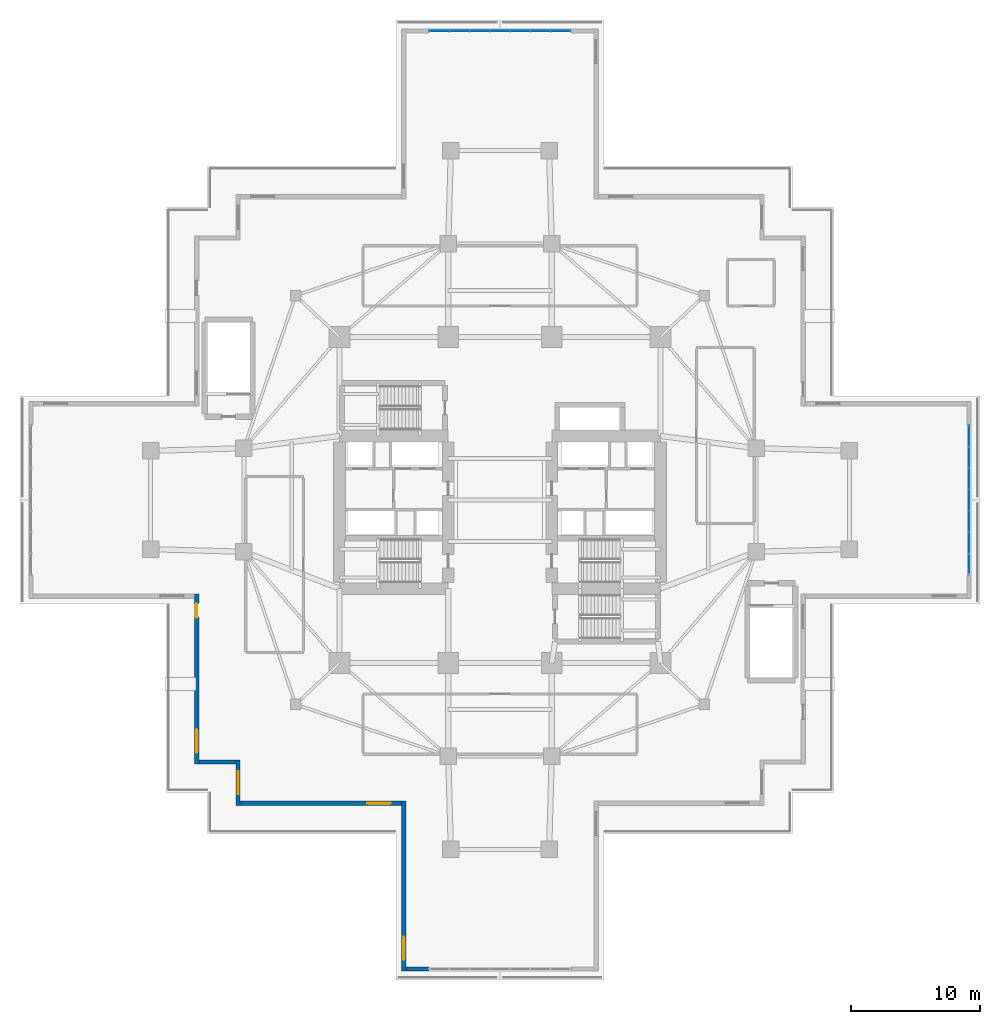
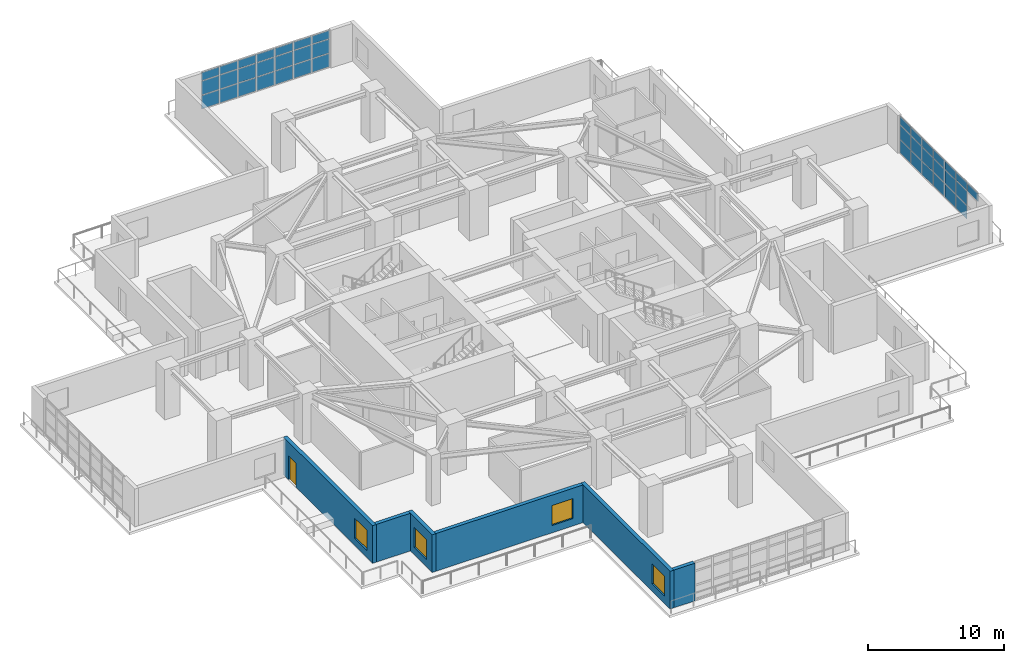
# One storey, part 14 of 24: 40 plates, 6 walls, 4 windows, 1 door, 5 openings, 2 elements without a shape of their own.
"""IFC4 building model written with IfcOpenShell, lengths in metres."""

from ifc_helpers import new_model, si_unit, direction, frame, frame_2d, origin, origin_2d, place, context, subcontext, project, spatial, rectangle, extrude, material, layer, layer_set, type_object, element, fill, aggregate, save


model = new_model("IFC4")

# Units and contexts
model_context = context("Model", 3, precision=1e-05, world=origin(), true_north=direction((0.0, 1.0)))
body_context = subcontext(model_context, "Body", "Model", "MODEL_VIEW")
ifc_project = project(units=[si_unit("LENGTHUNIT", "METRE"), si_unit("AREAUNIT", "SQUARE_METRE"), si_unit("VOLUMEUNIT", "CUBIC_METRE"), si_unit("PLANEANGLEUNIT", "RADIAN"), si_unit("MASSUNIT", "GRAM", prefix="KILO")], contexts=[model_context])

# Site, building, storey
site_placement = place(None, origin())
site = spatial("IfcSite", under=ifc_project, at=site_placement, CompositionType="ELEMENT")
building_placement = place(site_placement, origin())
building = spatial("IfcBuilding", under=site, at=building_placement, Name="Qingluan Cross Belvedere", CompositionType="ELEMENT")
storey_placement = place(building_placement, frame((0.0, 0.0, 19.199951171875)))
storey = spatial("IfcBuildingStorey", under=building, at=storey_placement, Name="L05", CompositionType="ELEMENT", Elevation=19.199951171875)

# Curtain wall, plates
ifc_material_1 = material(Name="Thermally broken aluminium and Low-E glass", Category="aluminium")
ifc_layer_1 = layer(ifc_material_1, 0.179931640625, Name="UnitisedCW_CascadeGarden")
ifc_layer_set_1 = layer_set([ifc_layer_1], Name="Thermally broken aluminium and Low-E glass")
curtain_wall_type = type_object("IfcCurtainWallType", Name="UnitisedCW_CascadeGarden", PredefinedType="USERDEFINED", material=ifc_layer_set_1)
curtain_wall_1_placement = place(storey_placement, origin())
curtain_wall_1 = element("IfcCurtainWall", 1, at=curtain_wall_1_placement, inside=storey, type_object=curtain_wall_type, Name="UnitisedCW_CascadeGarden run env:cw:L05:N", ObjectType="UNITISED CURTAIN WALL", PredefinedType="USERDEFINED")
ifc_material_2 = material(Name="Ceramic-fritted insulated spandrel glass", Category="glass")
ifc_layer_2 = layer(ifc_material_2, 0.0439453125, Name="CWSpandrelPanel_44")
ifc_layer_set_2 = layer_set([ifc_layer_2], Name="Ceramic-fritted insulated spandrel glass")
plate_type = type_object("IfcPlateType", Name="CWSpandrelPanel_44", PredefinedType="CURTAIN_PANEL", material=ifc_layer_set_2)
plate_1_placement = place(storey_placement, frame((-4.68212890625, 36.239990234375, 0.06005859375), z_axis=(0.0, 0.0, 1.0), x_axis=(1.0, 0.0, 0.0)))
plate_1 = element("IfcPlate", 2, at=plate_1_placement, type_object=plate_type, Name="CW-P3 panel 1.1", PredefinedType="CURTAIN_PANEL", context=body_context, shape_type="SweptSolid", body=[
    extrude(rectangle(XDim=1.475830078125, YDim=0.028076171875, at=origin_2d()), origin(), (0.0, 0.0, 1.0), 1.194091796875),
])
plate_2_placement = place(storey_placement, frame((-4.68212890625, 36.239990234375, 1.31396484375), z_axis=(0.0, 0.0, 1.0), x_axis=(1.0, 0.0, 0.0)))
plate_2 = element("IfcPlate", 3, at=plate_2_placement, type_object=plate_type, Name="CW-P3 panel 1.2", PredefinedType="CURTAIN_PANEL", context=body_context, shape_type="SweptSolid", body=[
    extrude(rectangle(XDim=1.475830078125, YDim=0.028076171875, at=origin_2d()), origin(), (0.0, 0.0, 1.0), 1.22509765625),
])
plate_3_placement = place(storey_placement, frame((-4.68212890625, 36.239990234375, 2.59912109375), z_axis=(0.0, 0.0, 1.0), x_axis=(1.0, 0.0, 0.0)))
plate_3 = element("IfcPlate", 4, at=plate_3_placement, type_object=plate_type, Name="CW-P3 panel 1.3", PredefinedType="CURTAIN_PANEL", context=body_context, shape_type="SweptSolid", body=[
    extrude(rectangle(XDim=1.475830078125, YDim=0.028076171875, at=origin_2d()), origin(), (0.0, 0.0, 1.0), 0.720947265625),
])
plate_4_placement = place(storey_placement, frame((-3.13134765625, 36.239990234375, 0.06005859375), z_axis=(0.0, 0.0, 1.0), x_axis=(1.0, 0.0, 0.0)))
plate_4 = element("IfcPlate", 5, at=plate_4_placement, type_object=plate_type, Name="CW-P3 panel 2.1", PredefinedType="CURTAIN_PANEL", context=body_context, shape_type="SweptSolid", body=[
    extrude(rectangle(XDim=1.505615234375, YDim=0.028076171875, at=origin_2d()), origin(), (0.0, 0.0, 1.0), 1.194091796875),
])
plate_5_placement = place(storey_placement, frame((-3.13134765625, 36.239990234375, 1.31396484375), z_axis=(0.0, 0.0, 1.0), x_axis=(1.0, 0.0, 0.0)))
plate_5 = element("IfcPlate", 6, at=plate_5_placement, type_object=plate_type, Name="CW-P3 panel 2.2", PredefinedType="CURTAIN_PANEL", context=body_context, shape_type="SweptSolid", body=[
    extrude(rectangle(XDim=1.505615234375, YDim=0.028076171875, at=origin_2d()), origin(), (0.0, 0.0, 1.0), 1.22509765625),
])
plate_6_placement = place(storey_placement, frame((-3.13134765625, 36.239990234375, 2.59912109375), z_axis=(0.0, 0.0, 1.0), x_axis=(1.0, 0.0, 0.0)))
plate_6 = element("IfcPlate", 7, at=plate_6_placement, type_object=plate_type, Name="CW-P3 panel 2.3", PredefinedType="CURTAIN_PANEL", context=body_context, shape_type="SweptSolid", body=[
    extrude(rectangle(XDim=1.505615234375, YDim=0.028076171875, at=origin_2d()), origin(), (0.0, 0.0, 1.0), 0.720947265625),
])
plate_7_placement = place(storey_placement, frame((-1.565673828125, 36.239990234375, 0.06005859375), z_axis=(0.0, 0.0, 1.0), x_axis=(1.0, 0.0, 0.0)))
plate_7 = element("IfcPlate", 8, at=plate_7_placement, type_object=plate_type, Name="CW-P3 panel 3.1", PredefinedType="CURTAIN_PANEL", context=body_context, shape_type="SweptSolid", body=[
    extrude(rectangle(XDim=1.505615234375, YDim=0.028076171875, at=origin_2d()), origin(), (0.0, 0.0, 1.0), 1.194091796875),
])
plate_8_placement = place(storey_placement, frame((-1.565673828125, 36.239990234375, 1.31396484375), z_axis=(0.0, 0.0, 1.0), x_axis=(1.0, 0.0, 0.0)))
plate_8 = element("IfcPlate", 9, at=plate_8_placement, type_object=plate_type, Name="CW-P3 panel 3.2", PredefinedType="CURTAIN_PANEL", context=body_context, shape_type="SweptSolid", body=[
    extrude(rectangle(XDim=1.505615234375, YDim=0.028076171875, at=origin_2d()), origin(), (0.0, 0.0, 1.0), 1.22509765625),
])
plate_9_placement = place(storey_placement, frame((-1.565673828125, 36.239990234375, 2.59912109375), z_axis=(0.0, 0.0, 1.0), x_axis=(1.0, 0.0, 0.0)))
plate_9 = element("IfcPlate", 10, at=plate_9_placement, type_object=plate_type, Name="CW-P3 panel 3.3", PredefinedType="CURTAIN_PANEL", context=body_context, shape_type="SweptSolid", body=[
    extrude(rectangle(XDim=1.505615234375, YDim=0.028076171875, at=origin_2d()), origin(), (0.0, 0.0, 1.0), 0.720947265625),
])
plate_10_placement = place(storey_placement, frame((0.0, 36.239990234375, 0.06005859375), z_axis=(0.0, 0.0, 1.0), x_axis=(1.0, 0.0, 0.0)))
plate_10 = element("IfcPlate", 11, at=plate_10_placement, type_object=plate_type, Name="CW-P3 panel 4.1", PredefinedType="CURTAIN_PANEL", context=body_context, shape_type="SweptSolid", body=[
    extrude(rectangle(XDim=1.505615234375, YDim=0.028076171875, at=origin_2d()), origin(), (0.0, 0.0, 1.0), 1.194091796875),
])
plate_11_placement = place(storey_placement, frame((0.0, 36.239990234375, 1.31396484375), z_axis=(0.0, 0.0, 1.0), x_axis=(1.0, 0.0, 0.0)))
plate_11 = element("IfcPlate", 12, at=plate_11_placement, type_object=plate_type, Name="CW-P3 panel 4.2", PredefinedType="CURTAIN_PANEL", context=body_context, shape_type="SweptSolid", body=[
    extrude(rectangle(XDim=1.505615234375, YDim=0.028076171875, at=origin_2d()), origin(), (0.0, 0.0, 1.0), 1.22509765625),
])
plate_12_placement = place(storey_placement, frame((0.0, 36.239990234375, 2.59912109375), z_axis=(0.0, 0.0, 1.0), x_axis=(1.0, 0.0, 0.0)))
plate_12 = element("IfcPlate", 13, at=plate_12_placement, type_object=plate_type, Name="CW-P3 panel 4.3", PredefinedType="CURTAIN_PANEL", context=body_context, shape_type="SweptSolid", body=[
    extrude(rectangle(XDim=1.505615234375, YDim=0.028076171875, at=origin_2d()), origin(), (0.0, 0.0, 1.0), 0.720947265625),
])
plate_13_placement = place(storey_placement, frame((1.565673828125, 36.239990234375, 0.06005859375), z_axis=(0.0, 0.0, 1.0), x_axis=(1.0, 0.0, 0.0)))
plate_13 = element("IfcPlate", 14, at=plate_13_placement, type_object=plate_type, Name="CW-P3 panel 5.1", PredefinedType="CURTAIN_PANEL", context=body_context, shape_type="SweptSolid", body=[
    extrude(rectangle(XDim=1.505615234375, YDim=0.028076171875, at=origin_2d()), origin(), (0.0, 0.0, 1.0), 1.194091796875),
])
plate_14_placement = place(storey_placement, frame((1.565673828125, 36.239990234375, 1.31396484375), z_axis=(0.0, 0.0, 1.0), x_axis=(1.0, 0.0, 0.0)))
plate_14 = element("IfcPlate", 15, at=plate_14_placement, type_object=plate_type, Name="CW-P3 panel 5.2", PredefinedType="CURTAIN_PANEL", context=body_context, shape_type="SweptSolid", body=[
    extrude(rectangle(XDim=1.505615234375, YDim=0.028076171875, at=origin_2d()), origin(), (0.0, 0.0, 1.0), 1.22509765625),
])
plate_15_placement = place(storey_placement, frame((1.565673828125, 36.239990234375, 2.59912109375), z_axis=(0.0, 0.0, 1.0), x_axis=(1.0, 0.0, 0.0)))
plate_15 = element("IfcPlate", 16, at=plate_15_placement, type_object=plate_type, Name="CW-P3 panel 5.3", PredefinedType="CURTAIN_PANEL", context=body_context, shape_type="SweptSolid", body=[
    extrude(rectangle(XDim=1.505615234375, YDim=0.028076171875, at=origin_2d()), origin(), (0.0, 0.0, 1.0), 0.720947265625),
])
plate_16_placement = place(storey_placement, frame((3.13134765625, 36.239990234375, 0.06005859375), z_axis=(0.0, 0.0, 1.0), x_axis=(1.0, 0.0, 0.0)))
plate_16 = element("IfcPlate", 17, at=plate_16_placement, type_object=plate_type, Name="CW-P3 panel 6.1", PredefinedType="CURTAIN_PANEL", context=body_context, shape_type="SweptSolid", body=[
    extrude(rectangle(XDim=1.505615234375, YDim=0.028076171875, at=origin_2d()), origin(), (0.0, 0.0, 1.0), 1.194091796875),
])
plate_17_placement = place(storey_placement, frame((3.13134765625, 36.239990234375, 1.31396484375), z_axis=(0.0, 0.0, 1.0), x_axis=(1.0, 0.0, 0.0)))
plate_17 = element("IfcPlate", 18, at=plate_17_placement, type_object=plate_type, Name="CW-P3 panel 6.2", PredefinedType="CURTAIN_PANEL", context=body_context, shape_type="SweptSolid", body=[
    extrude(rectangle(XDim=1.505615234375, YDim=0.028076171875, at=origin_2d()), origin(), (0.0, 0.0, 1.0), 1.22509765625),
])
plate_18_placement = place(storey_placement, frame((3.13134765625, 36.239990234375, 2.59912109375), z_axis=(0.0, 0.0, 1.0), x_axis=(1.0, 0.0, 0.0)))
plate_18 = element("IfcPlate", 19, at=plate_18_placement, type_object=plate_type, Name="CW-P3 panel 6.3", PredefinedType="CURTAIN_PANEL", context=body_context, shape_type="SweptSolid", body=[
    extrude(rectangle(XDim=1.505615234375, YDim=0.028076171875, at=origin_2d()), origin(), (0.0, 0.0, 1.0), 0.720947265625),
])
plate_19_placement = place(storey_placement, frame((4.68212890625, 36.239990234375, 0.06005859375), z_axis=(0.0, 0.0, 1.0), x_axis=(1.0, 0.0, 0.0)))
plate_19 = element("IfcPlate", 20, at=plate_19_placement, type_object=plate_type, Name="CW-P3 panel 7.1", PredefinedType="CURTAIN_PANEL", context=body_context, shape_type="SweptSolid", body=[
    extrude(rectangle(XDim=1.475830078125, YDim=0.028076171875, at=origin_2d()), origin(), (0.0, 0.0, 1.0), 1.194091796875),
])
plate_20_placement = place(storey_placement, frame((4.68212890625, 36.239990234375, 1.31396484375), z_axis=(0.0, 0.0, 1.0), x_axis=(1.0, 0.0, 0.0)))
plate_20 = element("IfcPlate", 21, at=plate_20_placement, type_object=plate_type, Name="CW-P3 panel 7.2", PredefinedType="CURTAIN_PANEL", context=body_context, shape_type="SweptSolid", body=[
    extrude(rectangle(XDim=1.475830078125, YDim=0.028076171875, at=origin_2d()), origin(), (0.0, 0.0, 1.0), 1.22509765625),
])
plate_21_placement = place(storey_placement, frame((4.68212890625, 36.239990234375, 2.59912109375), z_axis=(0.0, 0.0, 1.0), x_axis=(1.0, 0.0, 0.0)))
plate_21 = element("IfcPlate", 22, at=plate_21_placement, type_object=plate_type, Name="CW-P3 panel 7.3", PredefinedType="CURTAIN_PANEL", context=body_context, shape_type="SweptSolid", body=[
    extrude(rectangle(XDim=1.475830078125, YDim=0.028076171875, at=origin_2d()), origin(), (0.0, 0.0, 1.0), 0.720947265625),
])
aggregate(curtain_wall_1, [plate_1, plate_2, plate_3, plate_4, plate_5, plate_6, plate_7, plate_8, plate_9, plate_10, plate_11, plate_12, plate_13, plate_14, plate_15, plate_16, plate_17, plate_18, plate_19, plate_20, plate_21])

curtain_wall_2_placement = place(storey_placement, origin())
curtain_wall_2 = element("IfcCurtainWall", 23, at=curtain_wall_2_placement, inside=storey, type_object=curtain_wall_type, Name="UnitisedCW_CascadeGarden run env:cw:L05:E", ObjectType="UNITISED CURTAIN WALL", PredefinedType="USERDEFINED")
plate_22_placement = place(storey_placement, frame((36.239990234375, 4.95654296875, 0.06005859375), z_axis=(0.0, 0.0, 1.0), x_axis=(0.0, -1.0, 0.0)))
plate_22 = element("IfcPlate", 24, at=plate_22_placement, type_object=plate_type, Name="CW-P3 panel 1.1", PredefinedType="CURTAIN_PANEL", context=body_context, shape_type="SweptSolid", body=[
    extrude(rectangle(XDim=1.567138671875, YDim=0.028076171875, at=origin_2d()), origin(), (0.0, 0.0, 1.0), 1.194091796875),
])
plate_23_placement = place(storey_placement, frame((36.239990234375, 4.95654296875, 1.31396484375), z_axis=(0.0, 0.0, 1.0), x_axis=(0.0, -1.0, 0.0)))
plate_23 = element("IfcPlate", 25, at=plate_23_placement, type_object=plate_type, Name="CW-P3 panel 1.2", PredefinedType="CURTAIN_PANEL", context=body_context, shape_type="SweptSolid", body=[
    extrude(rectangle(XDim=1.567138671875, YDim=0.028076171875, at=origin_2d()), origin(), (0.0, 0.0, 1.0), 1.22509765625),
])
plate_24_placement = place(storey_placement, frame((36.239990234375, 4.95654296875, 2.59912109375), z_axis=(0.0, 0.0, 1.0), x_axis=(0.0, -1.0, 0.0)))
plate_24 = element("IfcPlate", 26, at=plate_24_placement, type_object=plate_type, Name="CW-P3 panel 1.3", PredefinedType="CURTAIN_PANEL", context=body_context, shape_type="SweptSolid", body=[
    extrude(rectangle(XDim=1.567138671875, YDim=0.028076171875, at=origin_2d()), origin(), (0.0, 0.0, 1.0), 0.720947265625),
])
plate_25_placement = place(storey_placement, frame((36.239990234375, 3.314208984375, 0.06005859375), z_axis=(0.0, 0.0, 1.0), x_axis=(0.0, -1.0, 0.0)))
plate_25 = element("IfcPlate", 27, at=plate_25_placement, type_object=plate_type, Name="CW-P3 panel 2.1", PredefinedType="CURTAIN_PANEL", context=body_context, shape_type="SweptSolid", body=[
    extrude(rectangle(XDim=1.59716796875, YDim=0.028076171875, at=origin_2d()), origin(), (0.0, 0.0, 1.0), 1.194091796875),
])
plate_26_placement = place(storey_placement, frame((36.239990234375, 3.314208984375, 1.31396484375), z_axis=(0.0, 0.0, 1.0), x_axis=(0.0, -1.0, 0.0)))
plate_26 = element("IfcPlate", 28, at=plate_26_placement, type_object=plate_type, Name="CW-P3 panel 2.2", PredefinedType="CURTAIN_PANEL", context=body_context, shape_type="SweptSolid", body=[
    extrude(rectangle(XDim=1.59716796875, YDim=0.028076171875, at=origin_2d()), origin(), (0.0, 0.0, 1.0), 1.22509765625),
])
plate_27_placement = place(storey_placement, frame((36.239990234375, 3.314208984375, 2.59912109375), z_axis=(0.0, 0.0, 1.0), x_axis=(0.0, -1.0, 0.0)))
plate_27 = element("IfcPlate", 29, at=plate_27_placement, type_object=plate_type, Name="CW-P3 panel 2.3", PredefinedType="CURTAIN_PANEL", context=body_context, shape_type="SweptSolid", body=[
    extrude(rectangle(XDim=1.59716796875, YDim=0.028076171875, at=origin_2d()), origin(), (0.0, 0.0, 1.0), 0.720947265625),
])
plate_28_placement = place(storey_placement, frame((36.239990234375, 1.6572265625, 0.06005859375), z_axis=(0.0, 0.0, 1.0), x_axis=(0.0, -1.0, 0.0)))
plate_28 = element("IfcPlate", 30, at=plate_28_placement, type_object=plate_type, Name="CW-P3 panel 3.1", PredefinedType="CURTAIN_PANEL", context=body_context, shape_type="SweptSolid", body=[
    extrude(rectangle(XDim=1.59716796875, YDim=0.028076171875, at=origin_2d()), origin(), (0.0, 0.0, 1.0), 1.194091796875),
])
plate_29_placement = place(storey_placement, frame((36.239990234375, 1.6572265625, 1.31396484375), z_axis=(0.0, 0.0, 1.0), x_axis=(0.0, -1.0, 0.0)))
plate_29 = element("IfcPlate", 31, at=plate_29_placement, type_object=plate_type, Name="CW-P3 panel 3.2", PredefinedType="CURTAIN_PANEL", context=body_context, shape_type="SweptSolid", body=[
    extrude(rectangle(XDim=1.59716796875, YDim=0.028076171875, at=origin_2d()), origin(), (0.0, 0.0, 1.0), 1.22509765625),
])
plate_30_placement = place(storey_placement, frame((36.239990234375, 1.6572265625, 2.59912109375), z_axis=(0.0, 0.0, 1.0), x_axis=(0.0, -1.0, 0.0)))
plate_30 = element("IfcPlate", 32, at=plate_30_placement, type_object=plate_type, Name="CW-P3 panel 3.3", PredefinedType="CURTAIN_PANEL", context=body_context, shape_type="SweptSolid", body=[
    extrude(rectangle(XDim=1.59716796875, YDim=0.028076171875, at=origin_2d()), origin(), (0.0, 0.0, 1.0), 0.720947265625),
])
plate_31_placement = place(storey_placement, frame((36.239990234375, 0.0, 0.06005859375), z_axis=(0.0, 0.0, 1.0), x_axis=(0.0, -1.0, 0.0)))
plate_31 = element("IfcPlate", 33, at=plate_31_placement, type_object=plate_type, Name="CW-P3 panel 4.1", PredefinedType="CURTAIN_PANEL", context=body_context, shape_type="SweptSolid", body=[
    extrude(rectangle(XDim=1.59716796875, YDim=0.028076171875, at=origin_2d()), origin(), (0.0, 0.0, 1.0), 1.194091796875),
])
plate_32_placement = place(storey_placement, frame((36.239990234375, 0.0, 1.31396484375), z_axis=(0.0, 0.0, 1.0), x_axis=(0.0, -1.0, 0.0)))
plate_32 = element("IfcPlate", 34, at=plate_32_placement, type_object=plate_type, Name="CW-P3 panel 4.2", PredefinedType="CURTAIN_PANEL", context=body_context, shape_type="SweptSolid", body=[
    extrude(rectangle(XDim=1.59716796875, YDim=0.028076171875, at=origin_2d()), origin(), (0.0, 0.0, 1.0), 1.22509765625),
])
plate_33_placement = place(storey_placement, frame((36.239990234375, 0.0, 2.59912109375), z_axis=(0.0, 0.0, 1.0), x_axis=(0.0, -1.0, 0.0)))
plate_33 = element("IfcPlate", 35, at=plate_33_placement, type_object=plate_type, Name="CW-P3 panel 4.3", PredefinedType="CURTAIN_PANEL", context=body_context, shape_type="SweptSolid", body=[
    extrude(rectangle(XDim=1.59716796875, YDim=0.028076171875, at=origin_2d()), origin(), (0.0, 0.0, 1.0), 0.720947265625),
])
plate_34_placement = place(storey_placement, frame((36.239990234375, -1.6572265625, 0.06005859375), z_axis=(0.0, 0.0, 1.0), x_axis=(0.0, -1.0, 0.0)))
plate_34 = element("IfcPlate", 36, at=plate_34_placement, type_object=plate_type, Name="CW-P3 panel 5.1", PredefinedType="CURTAIN_PANEL", context=body_context, shape_type="SweptSolid", body=[
    extrude(rectangle(XDim=1.59716796875, YDim=0.028076171875, at=origin_2d()), origin(), (0.0, 0.0, 1.0), 1.194091796875),
])
plate_35_placement = place(storey_placement, frame((36.239990234375, -1.6572265625, 1.31396484375), z_axis=(0.0, 0.0, 1.0), x_axis=(0.0, -1.0, 0.0)))
plate_35 = element("IfcPlate", 37, at=plate_35_placement, type_object=plate_type, Name="CW-P3 panel 5.2", PredefinedType="CURTAIN_PANEL", context=body_context, shape_type="SweptSolid", body=[
    extrude(rectangle(XDim=1.59716796875, YDim=0.028076171875, at=origin_2d()), origin(), (0.0, 0.0, 1.0), 1.22509765625),
])
plate_36_placement = place(storey_placement, frame((36.239990234375, -1.6572265625, 2.59912109375), z_axis=(0.0, 0.0, 1.0), x_axis=(0.0, -1.0, 0.0)))
plate_36 = element("IfcPlate", 38, at=plate_36_placement, type_object=plate_type, Name="CW-P3 panel 5.3", PredefinedType="CURTAIN_PANEL", context=body_context, shape_type="SweptSolid", body=[
    extrude(rectangle(XDim=1.59716796875, YDim=0.028076171875, at=origin_2d()), origin(), (0.0, 0.0, 1.0), 0.720947265625),
])
plate_37_placement = place(storey_placement, frame((36.239990234375, -3.314208984375, 0.06005859375), z_axis=(0.0, 0.0, 1.0), x_axis=(0.0, -1.0, 0.0)))
plate_37 = element("IfcPlate", 39, at=plate_37_placement, type_object=plate_type, Name="CW-P3 panel 6.1", PredefinedType="CURTAIN_PANEL", context=body_context, shape_type="SweptSolid", body=[
    extrude(rectangle(XDim=1.59716796875, YDim=0.028076171875, at=origin_2d()), origin(), (0.0, 0.0, 1.0), 1.194091796875),
])
plate_38_placement = place(storey_placement, frame((36.239990234375, -3.314208984375, 1.31396484375), z_axis=(0.0, 0.0, 1.0), x_axis=(0.0, -1.0, 0.0)))
plate_38 = element("IfcPlate", 40, at=plate_38_placement, type_object=plate_type, Name="CW-P3 panel 6.2", PredefinedType="CURTAIN_PANEL", context=body_context, shape_type="SweptSolid", body=[
    extrude(rectangle(XDim=1.59716796875, YDim=0.028076171875, at=origin_2d()), origin(), (0.0, 0.0, 1.0), 1.22509765625),
])
plate_39_placement = place(storey_placement, frame((36.239990234375, -3.314208984375, 2.59912109375), z_axis=(0.0, 0.0, 1.0), x_axis=(0.0, -1.0, 0.0)))
plate_39 = element("IfcPlate", 41, at=plate_39_placement, type_object=plate_type, Name="CW-P3 panel 6.3", PredefinedType="CURTAIN_PANEL", context=body_context, shape_type="SweptSolid", body=[
    extrude(rectangle(XDim=1.59716796875, YDim=0.028076171875, at=origin_2d()), origin(), (0.0, 0.0, 1.0), 0.720947265625),
])
plate_40_placement = place(storey_placement, frame((36.239990234375, -4.95654296875, 2.59912109375), z_axis=(0.0, 0.0, 1.0), x_axis=(0.0, -1.0, 0.0)))
plate_40 = element("IfcPlate", 42, at=plate_40_placement, type_object=plate_type, Name="CW-P3 panel 7.3", PredefinedType="CURTAIN_PANEL", context=body_context, shape_type="SweptSolid", body=[
    extrude(rectangle(XDim=1.567138671875, YDim=0.028076171875, at=origin_2d()), origin(), (0.0, 0.0, 1.0), 0.720947265625),
])
aggregate(curtain_wall_2, [plate_22, plate_23, plate_24, plate_25, plate_26, plate_27, plate_28, plate_29, plate_30, plate_31, plate_32, plate_33, plate_34, plate_35, plate_36, plate_37, plate_38, plate_39, plate_40])

# Wall
ifc_material_3 = material(Name="Precast concrete C45", Category="concrete")
ifc_layer_3 = layer(ifc_material_3, 0.320068359375, Name="PrecastPodiumWall_320")
ifc_layer_set_3 = layer_set([ifc_layer_3], Name="Precast concrete C45")
wall_type = type_object("IfcWallType", Name="PrecastPodiumWall_320", PredefinedType="STANDARD", material=ifc_layer_set_3)
wall_1_placement = place(storey_placement, frame((-5.47998046875, -36.239990234375, 0.0), z_axis=(0.0, 0.0, 1.0), x_axis=(-1.0, 0.0, 0.0)))
element("IfcWall", 43, at=wall_1_placement, inside=storey, type_object=wall_type, Name="Podium portal pier L05-P1JB", PredefinedType="STANDARD", context=body_context, shape_type="SweptSolid", body=[
    extrude(rectangle(XDim=1.800048828125, YDim=0.320068359375, at=frame_2d((0.89990234375, 0.0))), origin(), (0.0, 0.0, 1.0), 3.380126953125),
])

# Wall, opening, window
wall_2_placement = place(storey_placement, frame((-7.43994140625, -36.39990234375, 0.0), z_axis=(0.0, 0.0, 1.0), x_axis=(0.0, 1.0, 0.0)))
wall_2 = element("IfcWall", 44, at=wall_2_placement, inside=storey, type_object=wall_type, Name="Podium precast facade wall L05-S5", PredefinedType="STANDARD", context=body_context, shape_type="SweptSolid", body=[
    extrude(rectangle(XDim=13.119873046875, YDim=0.320068359375, at=frame_2d((6.56005859375, 0.0))), origin(), (0.0, 0.0, 1.0), 3.380126953125),
])
opening_1_placement = place(wall_2_placement, frame((0.85009765625, 0.0, 0.64990234375)))
opening_1 = element("IfcOpeningElement", 45, at=opening_1_placement, cuts=wall_2, Name="Opening W-06", PredefinedType="OPENING", context=body_context, shape_type="SweptSolid", body=[
    extrude(rectangle(XDim=1.800048828125, YDim=1.800048828125, at=frame_2d((0.89990234375, 0.89990234375))), frame((0.0, 0.169921875, 0.0), z_axis=(0.0, -1.0, 0.0), x_axis=(1.0, 0.0, 0.0)), (0.0, 0.0, 1.0), 0.340087890625),
])
ifc_material_4 = material(Name="Thermally broken triple Low-E glass in aluminium frame", Category="aluminium")
window_type = type_object("IfcWindowType", Name="PodiumGalleryWin_1800x1800", PartitioningType="SINGLE_PANEL", PredefinedType="WINDOW", material=ifc_material_4)
window_1_placement = place(opening_1_placement, origin())
window_1 = element("IfcWindow", 46, at=window_1_placement, inside=storey, type_object=window_type, Name="Podium gallery window L05-S5", OverallHeight=1.800048828125, OverallWidth=1.800048828125, PartitioningType="SINGLE_PANEL", PredefinedType="WINDOW", context=body_context, shape_type="SweptSolid", body=[
    extrude(rectangle(XDim=1.800048828125, YDim=1.800048828125, at=frame_2d((0.89990234375, 0.89990234375))), frame((0.0, 0.030029296875, 0.0), z_axis=(0.0, -1.0, 0.0), x_axis=(1.0, 0.0, 0.0)), (0.0, 0.0, 1.0), 0.06005859375),
])
fill(opening_1, window_1)

wall_3_placement = place(storey_placement, frame((-7.60009765625, -23.43994140625, 0.0), z_axis=(0.0, 0.0, 1.0), x_axis=(-1.0, 0.0, 0.0)))
wall_3 = element("IfcWall", 47, at=wall_3_placement, inside=storey, type_object=wall_type, Name="Podium precast facade wall L05-S6", PredefinedType="STANDARD", context=body_context, shape_type="SweptSolid", body=[
    extrude(rectangle(XDim=12.47998046875, YDim=0.320068359375, at=frame_2d((6.239990234375, 0.0))), origin(), (0.0, 0.0, 1.0), 3.380126953125),
])
opening_2_placement = place(wall_3_placement, frame((0.85009765625, 0.0, 0.64990234375)))
opening_2 = element("IfcOpeningElement", 48, at=opening_2_placement, cuts=wall_3, Name="Opening W-06", PredefinedType="OPENING", context=body_context, shape_type="SweptSolid", body=[
    extrude(rectangle(XDim=1.800048828125, YDim=1.800048828125, at=frame_2d((0.89990234375, 0.89990234375))), frame((0.0, 0.169921875, 0.0), z_axis=(0.0, -1.0, 0.0), x_axis=(1.0, 0.0, 0.0)), (0.0, 0.0, 1.0), 0.340087890625),
])
window_2_placement = place(opening_2_placement, origin())
window_2 = element("IfcWindow", 49, at=window_2_placement, inside=storey, type_object=window_type, Name="Podium gallery window L05-S6", OverallHeight=1.800048828125, OverallWidth=1.800048828125, PartitioningType="SINGLE_PANEL", PredefinedType="WINDOW", context=body_context, shape_type="SweptSolid", body=[
    extrude(rectangle(XDim=1.800048828125, YDim=1.800048828125, at=frame_2d((0.89990234375, 0.89990234375))), frame((0.0, 0.030029296875, 0.0), z_axis=(0.0, -1.0, 0.0), x_axis=(1.0, 0.0, 0.0)), (0.0, 0.0, 1.0), 0.06005859375),
])
fill(opening_2, window_2)

wall_4_placement = place(storey_placement, frame((-20.239990234375, -23.60009765625, 0.0), z_axis=(0.0, 0.0, 1.0), x_axis=(0.0, 1.0, 0.0)))
wall_4 = element("IfcWall", 50, at=wall_4_placement, inside=storey, type_object=wall_type, Name="Podium precast facade wall L05-S7", PredefinedType="STANDARD", context=body_context, shape_type="SweptSolid", body=[
    extrude(rectangle(XDim=3.52001953125, YDim=0.320068359375, at=frame_2d((1.760009765625, 0.0))), origin(), (0.0, 0.0, 1.0), 3.380126953125),
])
opening_3_placement = place(wall_4_placement, frame((0.85009765625, 0.0, 0.64990234375)))
opening_3 = element("IfcOpeningElement", 51, at=opening_3_placement, cuts=wall_4, Name="Opening W-06", PredefinedType="OPENING", context=body_context, shape_type="SweptSolid", body=[
    extrude(rectangle(XDim=1.800048828125, YDim=1.800048828125, at=frame_2d((0.89990234375, 0.89990234375))), frame((0.0, 0.169921875, 0.0), z_axis=(0.0, -1.0, 0.0), x_axis=(1.0, 0.0, 0.0)), (0.0, 0.0, 1.0), 0.340087890625),
])
window_3_placement = place(opening_3_placement, origin())
window_3 = element("IfcWindow", 52, at=window_3_placement, inside=storey, type_object=window_type, Name="Podium gallery window L05-S7", OverallHeight=1.800048828125, OverallWidth=1.800048828125, PartitioningType="SINGLE_PANEL", PredefinedType="WINDOW", context=body_context, shape_type="SweptSolid", body=[
    extrude(rectangle(XDim=1.800048828125, YDim=1.800048828125, at=frame_2d((0.89990234375, 0.89990234375))), frame((0.0, 0.030029296875, 0.0), z_axis=(0.0, -1.0, 0.0), x_axis=(1.0, 0.0, 0.0)), (0.0, 0.0, 1.0), 0.06005859375),
])
fill(opening_3, window_3)

# Wall
wall_5_placement = place(storey_placement, frame((-20.39990234375, -20.239990234375, 0.0), z_axis=(0.0, 0.0, 1.0), x_axis=(-1.0, 0.0, 0.0)))
element("IfcWall", 53, at=wall_5_placement, inside=storey, type_object=wall_type, Name="Podium precast facade wall L05-S8", PredefinedType="STANDARD", context=body_context, shape_type="SweptSolid", body=[
    extrude(rectangle(XDim=2.880126953125, YDim=0.320068359375, at=frame_2d((1.43994140625, 0.0))), origin(), (0.0, 0.0, 1.0), 3.380126953125),
])

# Wall, openings, window, door
wall_6_placement = place(storey_placement, frame((-23.43994140625, -20.39990234375, 0.0), z_axis=(0.0, 0.0, 1.0), x_axis=(0.0, 1.0, 0.0)))
wall_6 = element("IfcWall", 54, at=wall_6_placement, inside=storey, type_object=wall_type, Name="Podium precast facade wall L05-S9", PredefinedType="STANDARD", context=body_context, shape_type="SweptSolid", body=[
    extrude(rectangle(XDim=13.119873046875, YDim=0.320068359375, at=frame_2d((6.56005859375, 0.0))), origin(), (0.0, 0.0, 1.0), 3.380126953125),
])
opening_4_placement = place(wall_6_placement, frame((0.85009765625, 0.0, 0.64990234375)))
opening_4 = element("IfcOpeningElement", 55, at=opening_4_placement, cuts=wall_6, Name="Opening W-06", PredefinedType="OPENING", context=body_context, shape_type="SweptSolid", body=[
    extrude(rectangle(XDim=1.800048828125, YDim=1.800048828125, at=frame_2d((0.89990234375, 0.89990234375))), frame((0.0, 0.169921875, 0.0), z_axis=(0.0, -1.0, 0.0), x_axis=(1.0, 0.0, 0.0)), (0.0, 0.0, 1.0), 0.340087890625),
])
opening_5_placement = place(wall_6_placement, frame((11.300048828125, 0.0, 0.0)))
opening_5 = element("IfcOpeningElement", 56, at=opening_5_placement, cuts=wall_6, Name="Opening TD-11", PredefinedType="OPENING", context=body_context, shape_type="SweptSolid", body=[
    extrude(rectangle(XDim=1.10009765625, YDim=2.14990234375, at=frame_2d((0.550048828125, 1.074951171875))), frame((0.0, 0.169921875, 0.0), z_axis=(0.0, -1.0, 0.0), x_axis=(1.0, 0.0, 0.0)), (0.0, 0.0, 1.0), 0.340087890625),
])
window_4_placement = place(opening_4_placement, origin())
window_4 = element("IfcWindow", 57, at=window_4_placement, inside=storey, type_object=window_type, Name="Podium gallery window L05-S9", OverallHeight=1.800048828125, OverallWidth=1.800048828125, PartitioningType="SINGLE_PANEL", PredefinedType="WINDOW", context=body_context, shape_type="SweptSolid", body=[
    extrude(rectangle(XDim=1.800048828125, YDim=1.800048828125, at=frame_2d((0.89990234375, 0.89990234375))), frame((0.0, 0.030029296875, 0.0), z_axis=(0.0, -1.0, 0.0), x_axis=(1.0, 0.0, 0.0)), (0.0, 0.0, 1.0), 0.06005859375),
])
fill(opening_4, window_4)
ifc_material_5 = material(Name="Thermally broken aluminium and Low-E glass", Category="aluminium")
door_type = type_object("IfcDoorType", Name="TerraceGlazedDoor_1100", OperationType="NOTDEFINED", PredefinedType="DOOR", material=ifc_material_5)
door_placement = place(opening_5_placement, origin())
door = element("IfcDoor", 58, at=door_placement, inside=storey, type_object=door_type, Name="Cascade terrace door L05-3", OperationType="SINGLE_SWING_RIGHT", OverallHeight=2.14990234375, OverallWidth=1.10009765625, PredefinedType="DOOR", context=body_context, shape_type="SweptSolid", body=[
    extrude(rectangle(XDim=1.10009765625, YDim=2.14990234375, at=frame_2d((0.550048828125, 1.074951171875))), frame((0.0, 0.02490234375, 0.0), z_axis=(0.0, -1.0, 0.0), x_axis=(1.0, 0.0, 0.0)), (0.0, 0.0, 1.0), 0.050048828125),
])
fill(opening_5, door)

save(model, "model.ifc")
